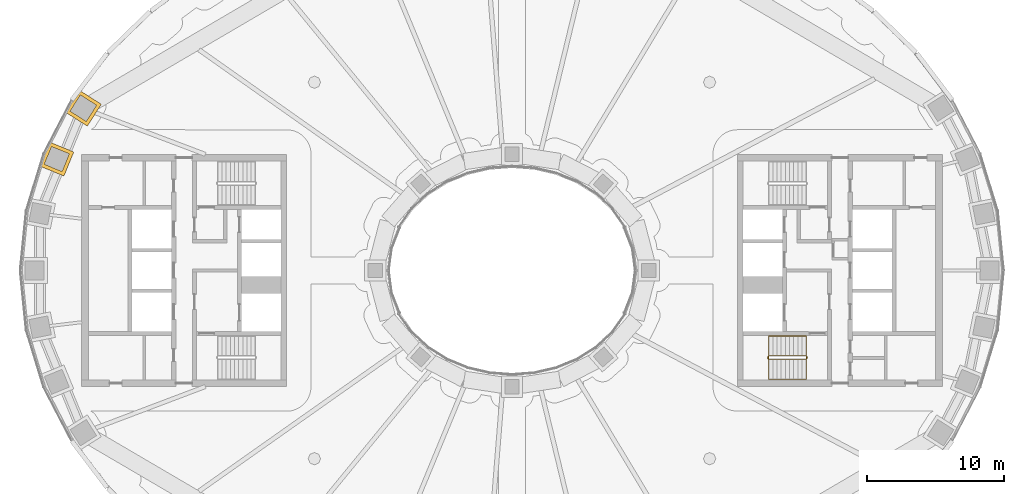
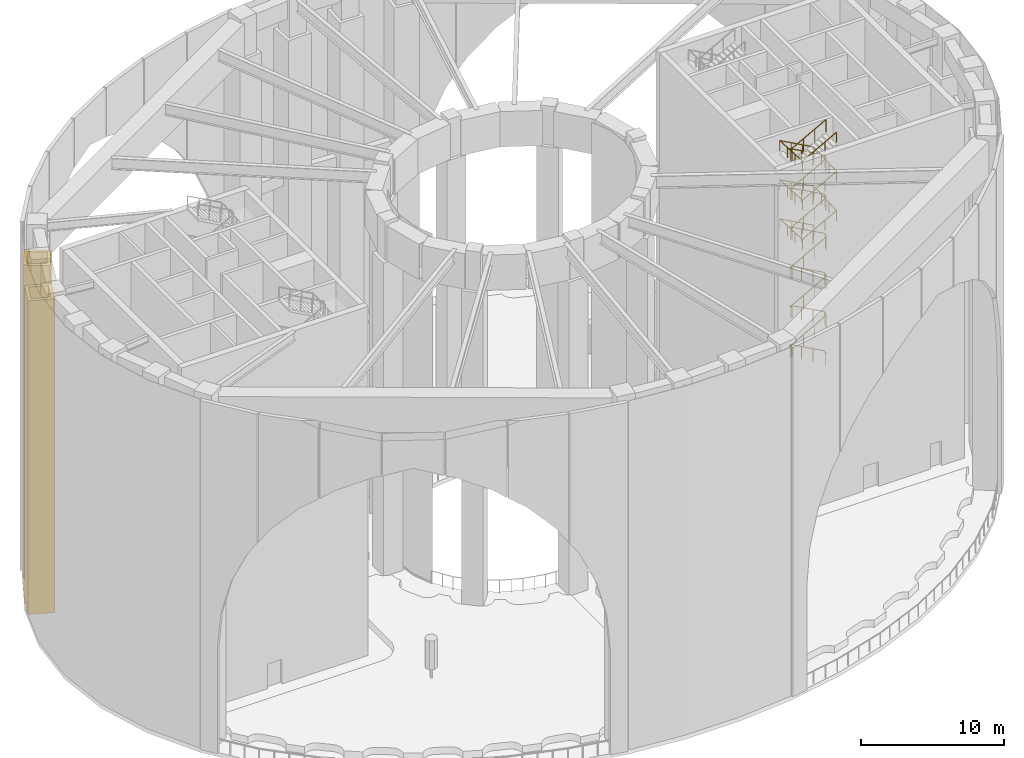
# One storey, part 19 of 26: 3 railings, 2 coverings.
"""IFC4 building model written with IfcOpenShell, lengths in metres."""

import ifcopenshell
import ifcopenshell.guid

model = None  # the IFC model being written
_history = None  # IfcOwnerHistory: only IFC2X3 demands one
_inside = {}  # id of a spatial element -> (the spatial element, [elements in it])
_under = {}  # id of a project, library or spatial element -> (it, [spatial elements below it])
_declared = {}  # id of a project -> (the project, [libraries it declares])
_typed = {}  # id of a type object -> (the type object, [elements of that type])
_made_of = {}  # id of a material, layer set ... -> (it, [elements and type objects made of it])


def new_model(schema):
    """Start an empty IFC model of exactly this schema.

    Asked for "IFC4X3", IfcOpenShell would pick the latest addendum, in which some entities
    have other attributes; the version numbers below select the first issue.
    IFC2X3 requires an IfcOwnerHistory on every rooted entity: one is made here for all.
    """
    global model, _history
    if schema == "IFC4X3":
        model = ifcopenshell.file(schema_version=(4, 3, 0, 0))
    else:
        model = ifcopenshell.file(schema=schema)
    _inside.clear()
    _under.clear()
    _declared.clear()
    _typed.clear()
    _made_of.clear()
    _history = None
    if model.schema == "IFC2X3":
        org = make("IfcOrganization", Name="unknown")
        user = make(
            "IfcPersonAndOrganization",
            ThePerson=make("IfcPerson", FamilyName="unknown"),
            TheOrganization=org,
        )
        app = make(
            "IfcApplication",
            ApplicationDeveloper=org,
            Version="unknown",
            ApplicationFullName="unknown",
            ApplicationIdentifier="unknown",
        )
        _history = make(
            "IfcOwnerHistory",
            OwningUser=user,
            OwningApplication=app,
            ChangeAction="ADDED",
            CreationDate=0,
        )
    return model


def make(cls, **values):
    """One entity of the class cls with the attributes given. An attribute that is None is left unset."""
    return model.create_entity(
        cls, **{name: value for name, value in values.items() if value is not None}
    )


def rooted(cls, **values):
    """An entity with a GlobalId (a new one), such as an element, a storey or a relation."""
    return make(cls, GlobalId=ifcopenshell.guid.new(), OwnerHistory=_history, **values)


def si_unit(unit_type, name, prefix=None):
    """IfcSIUnit, for example si_unit("LENGTHUNIT", "METRE", prefix="MILLI")."""
    return make("IfcSIUnit", UnitType=unit_type, Prefix=prefix, Name=name)


def assignment(units):
    """IfcUnitAssignment: the units of a project."""
    return None if units is None else make("IfcUnitAssignment", Units=units)


def point(xyz):
    """IfcCartesianPoint."""
    return None if xyz is None else make("IfcCartesianPoint", Coordinates=xyz)


def direction(xyz):
    """IfcDirection."""
    return None if xyz is None else make("IfcDirection", DirectionRatios=xyz)


def frame(location, z_axis=None, x_axis=None):
    """IfcAxis2Placement3D, a coordinate frame: its origin and axes. An axis left out is left unset."""
    return make(
        "IfcAxis2Placement3D",
        Location=point(location),
        Axis=direction(z_axis),
        RefDirection=direction(x_axis),
    )


def frame_2d(location, x_axis=None):
    """IfcAxis2Placement2D, a coordinate frame in the plane: its origin and x axis."""
    return make(
        "IfcAxis2Placement2D", Location=point(location), RefDirection=direction(x_axis)
    )


def origin():
    """The frame at (0, 0, 0) with its axes left unset."""
    return frame((0.0, 0.0, 0.0))


def origin_2d():
    """The frame at (0, 0) in the plane with its x axis left unset."""
    return frame_2d((0.0, 0.0))


def place(relative_to, where):
    """IfcLocalPlacement: puts the frame where relative to a parent placement (None: the world)."""
    return make(
        "IfcLocalPlacement", PlacementRelTo=relative_to, RelativePlacement=where
    )


def context(
    kind, dimensions, precision=None, world=None, true_north=None, identifier=None
):
    """IfcGeometricRepresentationContext, for example the 3D "Model" context."""
    return make(
        "IfcGeometricRepresentationContext",
        ContextIdentifier=identifier,
        ContextType=kind,
        CoordinateSpaceDimension=dimensions,
        Precision=precision,
        WorldCoordinateSystem=world,
        TrueNorth=true_north,
    )


def subcontext(parent, identifier, kind, view, scale=None):
    """IfcGeometricRepresentationSubContext, for example "Body" below "Model"."""
    return make(
        "IfcGeometricRepresentationSubContext",
        ContextIdentifier=identifier,
        ContextType=kind,
        ParentContext=parent,
        TargetScale=scale,
        TargetView=view,
    )


def project(units=None, contexts=None):
    """IfcProject with its units and contexts."""
    return rooted(
        "IfcProject",
        Name="project",
        RepresentationContexts=contexts,
        UnitsInContext=assignment(units),
    )


def spatial(cls, under=None, at=None, **own):
    """A site, building, storey or space (cls), placed at a placement, below another one or the project."""
    s = rooted(cls, ObjectPlacement=at, **own)
    if under is not None:
        _under.setdefault(under.id(), (under, []))[1].append(s)
    return s


def polyline(points):
    """IfcPolyline through the points."""
    return make("IfcPolyline", Points=[point(p) for p in points])


def profile(cls, at=None, kind="AREA", **sizes):
    """A parametric profile (cls). Its sizes go by their IFC names, for example OverallWidth=200.0."""
    return make(cls, ProfileType=kind, Position=at, **sizes)


def rectangle(**sizes):
    """IfcRectangleProfileDef."""
    return profile("IfcRectangleProfileDef", **sizes)


def outline(outer, holes=None, kind="AREA"):
    """IfcArbitraryClosedProfileDef: a profile drawn as a closed curve; with holes, ...WithVoids."""
    if holes is None:
        return make("IfcArbitraryClosedProfileDef", ProfileType=kind, OuterCurve=outer)
    return make(
        "IfcArbitraryProfileDefWithVoids",
        ProfileType=kind,
        OuterCurve=outer,
        InnerCurves=holes,
    )


def extrude(swept, where, along, depth):
    """IfcExtrudedAreaSolid: the profile swept, set in the frame where, extruded along a direction by depth."""
    return make(
        "IfcExtrudedAreaSolid",
        SweptArea=swept,
        Position=where,
        ExtrudedDirection=direction(along),
        Depth=depth,
    )


def shape(context_of_items, identifier, shape_type, items):
    """IfcShapeRepresentation: the items that make up one representation, for example the "Body"."""
    return make(
        "IfcShapeRepresentation",
        ContextOfItems=context_of_items,
        RepresentationIdentifier=identifier,
        RepresentationType=shape_type,
        Items=items,
    )


def material(Name=None, Category=None):
    """IfcMaterial."""
    return make("IfcMaterial", Name=Name, Category=Category)


def layer(
    of_material, thickness, ventilated=None, Name=None, Category=None, Priority=None
):
    """IfcMaterialLayer: one layer of a wall or slab, of a material (None: an air gap)."""
    return make(
        "IfcMaterialLayer",
        Material=of_material,
        LayerThickness=thickness,
        IsVentilated=ventilated,
        Name=Name,
        Category=Category,
        Priority=Priority,
    )


def layer_set(layers, Name=None):
    """IfcMaterialLayerSet."""
    return make("IfcMaterialLayerSet", MaterialLayers=layers, LayerSetName=Name)


def made_of(thing, what):
    """Note that an element or type object is made of a material, layer set ...; save() writes the relation."""
    if what is not None:
        _made_of.setdefault(what.id(), (what, []))[1].append(thing)
    return thing


def type_object(cls, material=None, **own):
    """A type object (cls), such as IfcWallType, which elements share."""
    return made_of(rooted(cls, **own), material)


def element(
    cls,
    number,
    at=None,
    inside=None,
    cuts=None,
    type_object=None,
    material=None,
    context=None,
    identifier="Body",
    shape_type=None,
    held_by="IfcProductDefinitionShape",
    body=None,
    shapes=None,
    **own,
):
    """One element of the class cls, such as IfcWall. Its Tag is "e" and its number.

    at: its placement. inside: the storey or other place that contains it. cuts: it is an
    opening in that element (IfcRelVoidsElement). A single representation is given by context,
    identifier, shape_type and body (its items); several are given by shapes. held_by: the class
    of the entity that holds the representations. save() writes the other relations.
    """
    e = rooted(cls, Tag="e%d" % number, ObjectPlacement=at, **own)
    if body is not None:
        shapes = [shape(context, identifier, shape_type, body)]
    if shapes is not None:
        e.Representation = make(held_by, Representations=shapes)
    if inside is not None:
        _inside.setdefault(inside.id(), (inside, []))[1].append(e)
    if cuts is not None:
        rooted(
            "IfcRelVoidsElement", RelatingBuildingElement=cuts, RelatedOpeningElement=e
        )
    if type_object is not None:
        _typed.setdefault(type_object.id(), (type_object, []))[1].append(e)
    return made_of(e, material)


def aggregate(whole, parts):
    """IfcRelAggregates: a whole, such as a stair, and the parts it consists of."""
    return rooted("IfcRelAggregates", RelatingObject=whole, RelatedObjects=parts)


def save(model, path):
    """Write the relations noted so far, then the file.

    IfcRelAggregates (storeys below a building ...), IfcRelContainedInSpatialStructure (elements
    in a storey), IfcRelDefinesByType, IfcRelAssociatesMaterial and IfcRelDeclares: one each for
    every whole, place, type object, material and project.
    """
    for whole, parts in _under.values():
        aggregate(whole, parts)
    for where, things in _inside.values():
        rooted(
            "IfcRelContainedInSpatialStructure",
            RelatedElements=things,
            RelatingStructure=where,
        )
    for kind, things in _typed.values():
        rooted("IfcRelDefinesByType", RelatedObjects=things, RelatingType=kind)
    for what, things in _made_of.values():
        rooted("IfcRelAssociatesMaterial", RelatedObjects=things, RelatingMaterial=what)
    for by, libraries in _declared.values():
        rooted("IfcRelDeclares", RelatingContext=by, RelatedDefinitions=libraries)
    model.write(path)


model = new_model("IFC4")

# Units and contexts
model_context = context("Model", 3, precision=1e-05, world=origin(), true_north=direction((0.0, 1.0)))
body_context = subcontext(model_context, "Body", "Model", "MODEL_VIEW")
ifc_project = project(units=[si_unit("LENGTHUNIT", "METRE"), si_unit("AREAUNIT", "SQUARE_METRE"), si_unit("VOLUMEUNIT", "CUBIC_METRE"), si_unit("PLANEANGLEUNIT", "RADIAN"), si_unit("MASSUNIT", "GRAM", prefix="KILO")], contexts=[model_context])

# Site, building, storey
site_placement = place(None, origin())
site = spatial("IfcSite", under=ifc_project, at=site_placement, CompositionType="ELEMENT")
building_placement = place(site_placement, origin())
building = spatial("IfcBuilding", under=site, at=building_placement, Name="Noorbagh Ring Tower", CompositionType="ELEMENT")
storey_placement = place(building_placement, frame((0.0, 0.0, 203.5)))
storey = spatial("IfcBuildingStorey", under=building, at=storey_placement, Name="L47", CompositionType="ELEMENT", Elevation=203.5)

# Railings
ifc_material_1 = material(Name="Stainless steel", Category="steel")
railing_type_1 = type_object("IfcRailingType", Name="CORE-STAIR-GUARD", PredefinedType="GUARDRAIL", material=ifc_material_1)
railing_1_placement = place(storey_placement, frame((21.580078125, -6.300048828125, 10.0)))
element("IfcRailing", 1, at=railing_1_placement, inside=storey, type_object=railing_type_1, Name="L47b ST4 stair guard", PredefinedType="GUARDRAIL", context=body_context, shape_type="SweptSolid", body=[
    extrude(rectangle(XDim=0.048095703125, YDim=0.048095703125, at=origin_2d()), frame((0.0, 0.0, 1.076171875), z_axis=(0.0, -1.0, 0.0), x_axis=(1.0, 0.0, 0.0)), (0.0, 0.0, 1.0), 0.14990234375),
    extrude(rectangle(XDim=0.048095703125, YDim=0.048095703125, at=origin_2d()), frame((0.0, -0.14990234375, 1.076171875), z_axis=(-0.188775798145, 0.754182335027, 0.628945707965), x_axis=(-0.970072785993, -0.242814311512, 0.0)), (0.0, 0.0, 1.0), 0.26513671875),
    extrude(rectangle(XDim=0.048095703125, YDim=0.048095703125, at=origin_2d()), frame((-0.050048828125, 0.050048828125, 1.24267578125), z_axis=(-0.877537414544, 0.0, 0.479508171021), x_axis=(0.0, -1.0, 0.0)), (0.0, 0.0, 1.0), 3.128173828125),
    extrude(rectangle(XDim=0.048095703125, YDim=0.048095703125, at=origin_2d()), frame((-2.795166015625, 0.050048828125, 2.74267578125), z_axis=(-0.705375805398, -0.708833529934, 0.0), x_axis=(0.708833529934, -0.705375805398, 0.0)), (0.0, 0.0, 1.0), 0.070556640625),
    extrude(rectangle(XDim=0.048095703125, YDim=0.048095703125, at=origin_2d()), frame((-2.844970703125, 0.0, 2.74267578125), z_axis=(0.0, -1.0, 0.0), x_axis=(1.0, 0.0, 0.0)), (0.0, 0.0, 1.0), 0.14990234375),
    extrude(rectangle(XDim=0.048095703125, YDim=0.048095703125, at=origin_2d()), frame((-2.844970703125, -0.14990234375, 2.74267578125), z_axis=(0.275382897532, -0.276732813696, 0.920642824102), x_axis=(0.708833529934, 0.705375805398, 0.0)), (0.0, 0.0, 1.0), 0.180908203125),
    extrude(rectangle(XDim=0.048095703125, YDim=0.048095703125, at=origin_2d()), frame((-2.795166015625, -0.199951171875, 2.9091796875), z_axis=(0.877537414544, 0.0, 0.479508171021), x_axis=(0.0, 1.0, 0.0)), (0.0, 0.0, 1.0), 3.128173828125),
    extrude(rectangle(XDim=0.048095703125, YDim=0.048095703125, at=origin_2d()), frame((-0.050048828125, -0.199951171875, 4.4091796875), z_axis=(0.242814311512, 0.970072785993, 0.0), x_axis=(-0.970072785993, 0.242814311512, 0.0)), (0.0, 0.0, 1.0), 0.2060546875),
    extrude(rectangle(XDim=0.048095703125, YDim=0.048095703125, at=origin_2d()), frame((0.0, 0.0, 4.4091796875), z_axis=(0.0, -1.0, 0.0), x_axis=(1.0, 0.0, 0.0)), (0.0, 0.0, 1.0), 0.14990234375),
    extrude(rectangle(XDim=0.048095703125, YDim=0.048095703125, at=origin_2d()), frame((0.0, -0.14990234375, 4.4091796875), z_axis=(-0.188775798145, 0.754182335027, 0.628945707965), x_axis=(-0.970072785993, -0.242814311512, 0.0)), (0.0, 0.0, 1.0), 0.26513671875),
    extrude(rectangle(XDim=0.048095703125, YDim=0.048095703125, at=origin_2d()), frame((-0.050048828125, 0.050048828125, 4.576171875), z_axis=(-0.877537414544, 0.0, 0.479508171021), x_axis=(0.0, -1.0, 0.0)), (0.0, 0.0, 1.0), 3.128173828125),
    extrude(rectangle(XDim=0.048095703125, YDim=0.048095703125, at=origin_2d()), frame((-2.795166015625, 0.050048828125, 6.076171875), z_axis=(-0.705375805398, -0.708833529934, 0.0), x_axis=(0.708833529934, -0.705375805398, 0.0)), (0.0, 0.0, 1.0), 0.070556640625),
    extrude(rectangle(XDim=0.048095703125, YDim=0.048095703125, at=origin_2d()), frame((-2.844970703125, 0.0, 6.076171875), z_axis=(0.0, -1.0, 0.0), x_axis=(1.0, 0.0, 0.0)), (0.0, 0.0, 1.0), 0.14990234375),
    extrude(rectangle(XDim=0.048095703125, YDim=0.048095703125, at=origin_2d()), frame((-2.844970703125, -0.14990234375, 6.076171875), z_axis=(0.275041040955, -0.276389281352, 0.920848191041), x_axis=(0.708833529934, 0.705375805398, 0.0)), (0.0, 0.0, 1.0), 0.18115234375),
    extrude(rectangle(XDim=0.048095703125, YDim=0.048095703125, at=origin_2d()), frame((-2.795166015625, -0.199951171875, 6.24267578125), z_axis=(0.877537414544, 0.0, 0.479508171021), x_axis=(0.0, 1.0, 0.0)), (0.0, 0.0, 1.0), 3.128173828125),
    extrude(rectangle(XDim=0.048095703125, YDim=0.048095703125, at=origin_2d()), frame((-0.050048828125, -0.199951171875, 7.74267578125), z_axis=(0.242814311512, 0.970072785993, 0.0), x_axis=(-0.970072785993, 0.242814311512, 0.0)), (0.0, 0.0, 1.0), 0.2060546875),
    extrude(rectangle(XDim=0.048095703125, YDim=0.048095703125, at=origin_2d()), frame((0.0, 0.0, 7.74267578125), z_axis=(0.0, -1.0, 0.0), x_axis=(1.0, 0.0, 0.0)), (0.0, 0.0, 1.0), 0.14990234375),
    extrude(rectangle(XDim=0.048095703125, YDim=0.048095703125, at=origin_2d()), frame((0.0, -0.14990234375, 7.74267578125), z_axis=(-0.188885146209, 0.754619193878, 0.628388632753), x_axis=(-0.970072785993, -0.242814311512, 0.0)), (0.0, 0.0, 1.0), 0.264892578125),
    extrude(rectangle(XDim=0.048095703125, YDim=0.048095703125, at=origin_2d()), frame((-0.050048828125, 0.050048828125, 7.9091796875), z_axis=(-0.877537414544, 0.0, 0.479508171021), x_axis=(0.0, -1.0, 0.0)), (0.0, 0.0, 1.0), 3.128173828125),
    extrude(rectangle(XDim=0.048095703125, YDim=0.048095703125, at=origin_2d()), frame((-2.795166015625, 0.050048828125, 9.4091796875), z_axis=(-0.705375805398, -0.708833529934, 0.0), x_axis=(0.708833529934, -0.705375805398, 0.0)), (0.0, 0.0, 1.0), 0.070556640625),
    extrude(rectangle(XDim=0.048095703125, YDim=0.048095703125, at=origin_2d()), frame((-2.844970703125, 0.0, 9.4091796875), z_axis=(0.0, -1.0, 0.0), x_axis=(1.0, 0.0, 0.0)), (0.0, 0.0, 1.0), 0.14990234375),
    extrude(rectangle(XDim=0.048095703125, YDim=0.048095703125, at=origin_2d()), frame((-2.844970703125, -0.14990234375, 9.4091796875), z_axis=(0.275041040955, -0.276389281352, 0.920848191041), x_axis=(0.708833529934, 0.705375805398, 0.0)), (0.0, 0.0, 1.0), 0.18115234375),
    extrude(rectangle(XDim=0.048095703125, YDim=0.048095703125, at=origin_2d()), frame((-2.795166015625, -0.199951171875, 9.576171875), z_axis=(0.877537414544, 0.0, 0.479508171021), x_axis=(0.0, 1.0, 0.0)), (0.0, 0.0, 1.0), 3.128173828125),
    extrude(rectangle(XDim=0.0419921875, YDim=0.0419921875, at=origin_2d()), origin(), (0.0, 0.0, 1.0), 1.052001953125),
    extrude(rectangle(XDim=0.0419921875, YDim=0.0419921875, at=origin_2d()), frame((-0.965087890625, 0.050048828125, 0.666748046875)), (0.0, 0.0, 1.0), 1.052001953125),
    extrude(rectangle(XDim=0.0419921875, YDim=0.0419921875, at=origin_2d()), frame((-1.880126953125, 0.050048828125, 1.166748046875)), (0.0, 0.0, 1.0), 1.052001953125),
    extrude(rectangle(XDim=0.0419921875, YDim=0.0419921875, at=origin_2d()), frame((-2.795166015625, 0.050048828125, 1.666748046875)), (0.0, 0.0, 1.0), 1.052001953125),
    extrude(rectangle(XDim=0.0419921875, YDim=0.0419921875, at=origin_2d()), frame((-2.795166015625, -0.199951171875, 1.833251953125)), (0.0, 0.0, 1.0), 1.052001953125),
    extrude(rectangle(XDim=0.0419921875, YDim=0.0419921875, at=origin_2d()), frame((-1.880126953125, -0.199951171875, 2.333251953125)), (0.0, 0.0, 1.0), 1.052001953125),
    extrude(rectangle(XDim=0.0419921875, YDim=0.0419921875, at=origin_2d()), frame((-0.965087890625, -0.199951171875, 2.833251953125)), (0.0, 0.0, 1.0), 1.052001953125),
    extrude(rectangle(XDim=0.0419921875, YDim=0.0419921875, at=origin_2d()), frame((-0.050048828125, -0.199951171875, 3.333251953125)), (0.0, 0.0, 1.0), 1.052001953125),
    extrude(rectangle(XDim=0.0419921875, YDim=0.0419921875, at=origin_2d()), frame((-0.050048828125, 0.050048828125, 3.5)), (0.0, 0.0, 1.0), 1.052001953125),
    extrude(rectangle(XDim=0.0419921875, YDim=0.0419921875, at=origin_2d()), frame((-0.965087890625, 0.050048828125, 4.0)), (0.0, 0.0, 1.0), 1.052001953125),
    extrude(rectangle(XDim=0.0419921875, YDim=0.0419921875, at=origin_2d()), frame((-1.880126953125, 0.050048828125, 4.5)), (0.0, 0.0, 1.0), 1.052001953125),
    extrude(rectangle(XDim=0.0419921875, YDim=0.0419921875, at=origin_2d()), frame((-2.795166015625, 0.050048828125, 5.0)), (0.0, 0.0, 1.0), 1.052001953125),
    extrude(rectangle(XDim=0.0419921875, YDim=0.0419921875, at=origin_2d()), frame((-2.795166015625, -0.199951171875, 5.166748046875)), (0.0, 0.0, 1.0), 1.052001953125),
    extrude(rectangle(XDim=0.0419921875, YDim=0.0419921875, at=origin_2d()), frame((-1.880126953125, -0.199951171875, 5.666748046875)), (0.0, 0.0, 1.0), 1.052001953125),
    extrude(rectangle(XDim=0.0419921875, YDim=0.0419921875, at=origin_2d()), frame((-0.965087890625, -0.199951171875, 6.166748046875)), (0.0, 0.0, 1.0), 1.052001953125),
    extrude(rectangle(XDim=0.0419921875, YDim=0.0419921875, at=origin_2d()), frame((-0.050048828125, -0.199951171875, 6.666748046875)), (0.0, 0.0, 1.0), 1.052001953125),
    extrude(rectangle(XDim=0.0419921875, YDim=0.0419921875, at=origin_2d()), frame((-0.050048828125, 0.050048828125, 6.833251953125)), (0.0, 0.0, 1.0), 1.052001953125),
    extrude(rectangle(XDim=0.0419921875, YDim=0.0419921875, at=origin_2d()), frame((-0.965087890625, 0.050048828125, 7.333251953125)), (0.0, 0.0, 1.0), 1.052001953125),
    extrude(rectangle(XDim=0.0419921875, YDim=0.0419921875, at=origin_2d()), frame((-1.880126953125, 0.050048828125, 7.833251953125)), (0.0, 0.0, 1.0), 1.052001953125),
    extrude(rectangle(XDim=0.0419921875, YDim=0.0419921875, at=origin_2d()), frame((-2.795166015625, 0.050048828125, 8.333251953125)), (0.0, 0.0, 1.0), 1.052001953125),
    extrude(rectangle(XDim=0.0419921875, YDim=0.0419921875, at=origin_2d()), frame((-2.795166015625, -0.199951171875, 8.5)), (0.0, 0.0, 1.0), 1.052001953125),
    extrude(rectangle(XDim=0.0419921875, YDim=0.0419921875, at=origin_2d()), frame((-1.880126953125, -0.199951171875, 9.0)), (0.0, 0.0, 1.0), 1.052001953125),
    extrude(rectangle(XDim=0.0419921875, YDim=0.0419921875, at=origin_2d()), frame((-0.965087890625, -0.199951171875, 9.5)), (0.0, 0.0, 1.0), 1.052001953125),
    extrude(rectangle(XDim=0.0419921875, YDim=0.0419921875, at=origin_2d()), frame((-0.050048828125, -0.199951171875, 10.0)), (0.0, 0.0, 1.0), 1.052001953125),
])
railing_2_placement = place(storey_placement, frame((21.580078125, -6.300048828125, 20.0)))
element("IfcRailing", 2, at=railing_2_placement, inside=storey, type_object=railing_type_1, Name="L47c ST4 stair guard", PredefinedType="GUARDRAIL", context=body_context, shape_type="SweptSolid", body=[
    extrude(rectangle(XDim=0.048095703125, YDim=0.048095703125, at=origin_2d()), frame((0.0, 0.0, 1.076171875), z_axis=(0.0, -1.0, 0.0), x_axis=(1.0, 0.0, 0.0)), (0.0, 0.0, 1.0), 0.14990234375),
    extrude(rectangle(XDim=0.048095703125, YDim=0.048095703125, at=origin_2d()), frame((0.0, -0.14990234375, 1.076171875), z_axis=(-0.188775798145, 0.754182335027, 0.628945707965), x_axis=(-0.970072785993, -0.242814311512, 0.0)), (0.0, 0.0, 1.0), 0.26513671875),
    extrude(rectangle(XDim=0.048095703125, YDim=0.048095703125, at=origin_2d()), frame((-0.050048828125, 0.050048828125, 1.24267578125), z_axis=(-0.877537414544, 0.0, 0.479508171021), x_axis=(0.0, -1.0, 0.0)), (0.0, 0.0, 1.0), 3.128173828125),
    extrude(rectangle(XDim=0.048095703125, YDim=0.048095703125, at=origin_2d()), frame((-2.795166015625, 0.050048828125, 2.74267578125), z_axis=(-0.705375805398, -0.708833529934, 0.0), x_axis=(0.708833529934, -0.705375805398, 0.0)), (0.0, 0.0, 1.0), 0.070556640625),
    extrude(rectangle(XDim=0.048095703125, YDim=0.048095703125, at=origin_2d()), frame((-2.844970703125, 0.0, 2.74267578125), z_axis=(0.0, -1.0, 0.0), x_axis=(1.0, 0.0, 0.0)), (0.0, 0.0, 1.0), 0.14990234375),
    extrude(rectangle(XDim=0.048095703125, YDim=0.048095703125, at=origin_2d()), frame((-2.844970703125, -0.14990234375, 2.74267578125), z_axis=(0.275382897532, -0.276732813696, 0.920642824102), x_axis=(0.708833529934, 0.705375805398, 0.0)), (0.0, 0.0, 1.0), 0.180908203125),
    extrude(rectangle(XDim=0.048095703125, YDim=0.048095703125, at=origin_2d()), frame((-2.795166015625, -0.199951171875, 2.9091796875), z_axis=(0.877537414544, 0.0, 0.479508171021), x_axis=(0.0, 1.0, 0.0)), (0.0, 0.0, 1.0), 3.128173828125),
    extrude(rectangle(XDim=0.048095703125, YDim=0.048095703125, at=origin_2d()), frame((-0.050048828125, -0.199951171875, 4.4091796875), z_axis=(0.242814311512, 0.970072785993, 0.0), x_axis=(-0.970072785993, 0.242814311512, 0.0)), (0.0, 0.0, 1.0), 0.2060546875),
    extrude(rectangle(XDim=0.048095703125, YDim=0.048095703125, at=origin_2d()), frame((0.0, 0.0, 4.4091796875), z_axis=(0.0, -1.0, 0.0), x_axis=(1.0, 0.0, 0.0)), (0.0, 0.0, 1.0), 0.14990234375),
    extrude(rectangle(XDim=0.048095703125, YDim=0.048095703125, at=origin_2d()), frame((0.0, -0.14990234375, 4.4091796875), z_axis=(-0.188775798145, 0.754182335027, 0.628945707965), x_axis=(-0.970072785993, -0.242814311512, 0.0)), (0.0, 0.0, 1.0), 0.26513671875),
    extrude(rectangle(XDim=0.048095703125, YDim=0.048095703125, at=origin_2d()), frame((-0.050048828125, 0.050048828125, 4.576171875), z_axis=(-0.877537414544, 0.0, 0.479508171021), x_axis=(0.0, -1.0, 0.0)), (0.0, 0.0, 1.0), 3.128173828125),
    extrude(rectangle(XDim=0.048095703125, YDim=0.048095703125, at=origin_2d()), frame((-2.795166015625, 0.050048828125, 6.076171875), z_axis=(-0.705375805398, -0.708833529934, 0.0), x_axis=(0.708833529934, -0.705375805398, 0.0)), (0.0, 0.0, 1.0), 0.070556640625),
    extrude(rectangle(XDim=0.048095703125, YDim=0.048095703125, at=origin_2d()), frame((-2.844970703125, 0.0, 6.076171875), z_axis=(0.0, -1.0, 0.0), x_axis=(1.0, 0.0, 0.0)), (0.0, 0.0, 1.0), 0.14990234375),
    extrude(rectangle(XDim=0.048095703125, YDim=0.048095703125, at=origin_2d()), frame((-2.844970703125, -0.14990234375, 6.076171875), z_axis=(0.275041040955, -0.276389281352, 0.920848191041), x_axis=(0.708833529934, 0.705375805398, 0.0)), (0.0, 0.0, 1.0), 0.18115234375),
    extrude(rectangle(XDim=0.048095703125, YDim=0.048095703125, at=origin_2d()), frame((-2.795166015625, -0.199951171875, 6.24267578125), z_axis=(0.877537414544, 0.0, 0.479508171021), x_axis=(0.0, 1.0, 0.0)), (0.0, 0.0, 1.0), 3.128173828125),
    extrude(rectangle(XDim=0.048095703125, YDim=0.048095703125, at=origin_2d()), frame((-0.050048828125, -0.199951171875, 7.74267578125), z_axis=(0.242814311512, 0.970072785993, 0.0), x_axis=(-0.970072785993, 0.242814311512, 0.0)), (0.0, 0.0, 1.0), 0.2060546875),
    extrude(rectangle(XDim=0.048095703125, YDim=0.048095703125, at=origin_2d()), frame((0.0, 0.0, 7.74267578125), z_axis=(0.0, -1.0, 0.0), x_axis=(1.0, 0.0, 0.0)), (0.0, 0.0, 1.0), 0.14990234375),
    extrude(rectangle(XDim=0.048095703125, YDim=0.048095703125, at=origin_2d()), frame((0.0, -0.14990234375, 7.74267578125), z_axis=(-0.188885146209, 0.754619193878, 0.628388632753), x_axis=(-0.970072785993, -0.242814311512, 0.0)), (0.0, 0.0, 1.0), 0.264892578125),
    extrude(rectangle(XDim=0.048095703125, YDim=0.048095703125, at=origin_2d()), frame((-0.050048828125, 0.050048828125, 7.9091796875), z_axis=(-0.877537414544, 0.0, 0.479508171021), x_axis=(0.0, -1.0, 0.0)), (0.0, 0.0, 1.0), 3.128173828125),
    extrude(rectangle(XDim=0.048095703125, YDim=0.048095703125, at=origin_2d()), frame((-2.795166015625, 0.050048828125, 9.4091796875), z_axis=(-0.705375805398, -0.708833529934, 0.0), x_axis=(0.708833529934, -0.705375805398, 0.0)), (0.0, 0.0, 1.0), 0.070556640625),
    extrude(rectangle(XDim=0.048095703125, YDim=0.048095703125, at=origin_2d()), frame((-2.844970703125, 0.0, 9.4091796875), z_axis=(0.0, -1.0, 0.0), x_axis=(1.0, 0.0, 0.0)), (0.0, 0.0, 1.0), 0.14990234375),
    extrude(rectangle(XDim=0.048095703125, YDim=0.048095703125, at=origin_2d()), frame((-2.844970703125, -0.14990234375, 9.4091796875), z_axis=(0.275041040955, -0.276389281352, 0.920848191041), x_axis=(0.708833529934, 0.705375805398, 0.0)), (0.0, 0.0, 1.0), 0.18115234375),
    extrude(rectangle(XDim=0.048095703125, YDim=0.048095703125, at=origin_2d()), frame((-2.795166015625, -0.199951171875, 9.576171875), z_axis=(0.877537414544, 0.0, 0.479508171021), x_axis=(0.0, 1.0, 0.0)), (0.0, 0.0, 1.0), 3.128173828125),
    extrude(rectangle(XDim=0.0419921875, YDim=0.0419921875, at=origin_2d()), origin(), (0.0, 0.0, 1.0), 1.052001953125),
    extrude(rectangle(XDim=0.0419921875, YDim=0.0419921875, at=origin_2d()), frame((-0.965087890625, 0.050048828125, 0.666748046875)), (0.0, 0.0, 1.0), 1.052001953125),
    extrude(rectangle(XDim=0.0419921875, YDim=0.0419921875, at=origin_2d()), frame((-1.880126953125, 0.050048828125, 1.166748046875)), (0.0, 0.0, 1.0), 1.052001953125),
    extrude(rectangle(XDim=0.0419921875, YDim=0.0419921875, at=origin_2d()), frame((-2.795166015625, 0.050048828125, 1.666748046875)), (0.0, 0.0, 1.0), 1.052001953125),
    extrude(rectangle(XDim=0.0419921875, YDim=0.0419921875, at=origin_2d()), frame((-2.795166015625, -0.199951171875, 1.833251953125)), (0.0, 0.0, 1.0), 1.052001953125),
    extrude(rectangle(XDim=0.0419921875, YDim=0.0419921875, at=origin_2d()), frame((-1.880126953125, -0.199951171875, 2.333251953125)), (0.0, 0.0, 1.0), 1.052001953125),
    extrude(rectangle(XDim=0.0419921875, YDim=0.0419921875, at=origin_2d()), frame((-0.965087890625, -0.199951171875, 2.833251953125)), (0.0, 0.0, 1.0), 1.052001953125),
    extrude(rectangle(XDim=0.0419921875, YDim=0.0419921875, at=origin_2d()), frame((-0.050048828125, -0.199951171875, 3.333251953125)), (0.0, 0.0, 1.0), 1.052001953125),
    extrude(rectangle(XDim=0.0419921875, YDim=0.0419921875, at=origin_2d()), frame((-0.050048828125, 0.050048828125, 3.5)), (0.0, 0.0, 1.0), 1.052001953125),
    extrude(rectangle(XDim=0.0419921875, YDim=0.0419921875, at=origin_2d()), frame((-0.965087890625, 0.050048828125, 4.0)), (0.0, 0.0, 1.0), 1.052001953125),
    extrude(rectangle(XDim=0.0419921875, YDim=0.0419921875, at=origin_2d()), frame((-1.880126953125, 0.050048828125, 4.5)), (0.0, 0.0, 1.0), 1.052001953125),
    extrude(rectangle(XDim=0.0419921875, YDim=0.0419921875, at=origin_2d()), frame((-2.795166015625, 0.050048828125, 5.0)), (0.0, 0.0, 1.0), 1.052001953125),
    extrude(rectangle(XDim=0.0419921875, YDim=0.0419921875, at=origin_2d()), frame((-2.795166015625, -0.199951171875, 5.166748046875)), (0.0, 0.0, 1.0), 1.052001953125),
    extrude(rectangle(XDim=0.0419921875, YDim=0.0419921875, at=origin_2d()), frame((-1.880126953125, -0.199951171875, 5.666748046875)), (0.0, 0.0, 1.0), 1.052001953125),
    extrude(rectangle(XDim=0.0419921875, YDim=0.0419921875, at=origin_2d()), frame((-0.965087890625, -0.199951171875, 6.166748046875)), (0.0, 0.0, 1.0), 1.052001953125),
    extrude(rectangle(XDim=0.0419921875, YDim=0.0419921875, at=origin_2d()), frame((-0.050048828125, -0.199951171875, 6.666748046875)), (0.0, 0.0, 1.0), 1.052001953125),
    extrude(rectangle(XDim=0.0419921875, YDim=0.0419921875, at=origin_2d()), frame((-0.050048828125, 0.050048828125, 6.833251953125)), (0.0, 0.0, 1.0), 1.052001953125),
    extrude(rectangle(XDim=0.0419921875, YDim=0.0419921875, at=origin_2d()), frame((-0.965087890625, 0.050048828125, 7.333251953125)), (0.0, 0.0, 1.0), 1.052001953125),
    extrude(rectangle(XDim=0.0419921875, YDim=0.0419921875, at=origin_2d()), frame((-1.880126953125, 0.050048828125, 7.833251953125)), (0.0, 0.0, 1.0), 1.052001953125),
    extrude(rectangle(XDim=0.0419921875, YDim=0.0419921875, at=origin_2d()), frame((-2.795166015625, 0.050048828125, 8.333251953125)), (0.0, 0.0, 1.0), 1.052001953125),
    extrude(rectangle(XDim=0.0419921875, YDim=0.0419921875, at=origin_2d()), frame((-2.795166015625, -0.199951171875, 8.5)), (0.0, 0.0, 1.0), 1.052001953125),
    extrude(rectangle(XDim=0.0419921875, YDim=0.0419921875, at=origin_2d()), frame((-1.880126953125, -0.199951171875, 9.0)), (0.0, 0.0, 1.0), 1.052001953125),
    extrude(rectangle(XDim=0.0419921875, YDim=0.0419921875, at=origin_2d()), frame((-0.965087890625, -0.199951171875, 9.5)), (0.0, 0.0, 1.0), 1.052001953125),
    extrude(rectangle(XDim=0.0419921875, YDim=0.0419921875, at=origin_2d()), frame((-0.050048828125, -0.199951171875, 10.0)), (0.0, 0.0, 1.0), 1.052001953125),
])
ifc_material_2 = material(Name="Stainless steel", Category="steel")
railing_type_2 = type_object("IfcRailingType", Name="CORE-STAIR-HANDRAIL", PredefinedType="HANDRAIL", material=ifc_material_2)
railing_3_placement = place(storey_placement, frame((21.530029296875, -4.800048828125, 20.166748046875)))
element("IfcRailing", 3, at=railing_3_placement, inside=storey, type_object=railing_type_2, Name="L47c ST4 stair handrail", PredefinedType="HANDRAIL", context=body_context, shape_type="SweptSolid", body=[
    extrude(rectangle(XDim=0.048095703125, YDim=0.048095703125, at=origin_2d()), frame((0.0, 0.0, 0.8759765625), z_axis=(-0.877537414544, 0.0, 0.479508171021), x_axis=(0.0, -1.0, 0.0)), (0.0, 0.0, 1.0), 3.128173828125),
    extrude(rectangle(XDim=0.048095703125, YDim=0.048095703125, at=origin_2d()), frame((-2.7451171875, 0.0, 2.3759765625), z_axis=(0.0, -0.998605830047, 0.052786325848), x_axis=(1.0, 0.0, 0.0)), (0.0, 0.0, 1.0), 3.154296875),
    extrude(rectangle(XDim=0.048095703125, YDim=0.048095703125, at=origin_2d()), frame((-2.7451171875, -3.14990234375, 2.54248046875), z_axis=(0.877537414544, 0.0, 0.479508171021), x_axis=(0.0, 1.0, 0.0)), (0.0, 0.0, 1.0), 3.128173828125),
    extrude(rectangle(XDim=0.048095703125, YDim=0.048095703125, at=origin_2d()), frame((0.0, -3.14990234375, 4.04248046875), z_axis=(0.0, 0.998601747152, 0.052863509014), x_axis=(-1.0, 0.0, 0.0)), (0.0, 0.0, 1.0), 3.154296875),
    extrude(rectangle(XDim=0.048095703125, YDim=0.048095703125, at=origin_2d()), frame((0.0, 0.0, 4.208984375), z_axis=(-0.877537414544, 0.0, 0.479508171021), x_axis=(0.0, -1.0, 0.0)), (0.0, 0.0, 1.0), 3.128173828125),
    extrude(rectangle(XDim=0.048095703125, YDim=0.048095703125, at=origin_2d()), frame((-2.7451171875, 0.0, 5.708984375), z_axis=(0.0, -0.998601747152, 0.052863509014), x_axis=(1.0, 0.0, 0.0)), (0.0, 0.0, 1.0), 3.154296875),
    extrude(rectangle(XDim=0.048095703125, YDim=0.048095703125, at=origin_2d()), frame((-2.7451171875, -3.14990234375, 5.8759765625), z_axis=(0.877537414544, 0.0, 0.479508171021), x_axis=(0.0, 1.0, 0.0)), (0.0, 0.0, 1.0), 3.128173828125),
    extrude(rectangle(XDim=0.048095703125, YDim=0.048095703125, at=origin_2d()), frame((0.0, -3.14990234375, 7.3759765625), z_axis=(0.0, 0.998605830047, 0.052786325848), x_axis=(-1.0, 0.0, 0.0)), (0.0, 0.0, 1.0), 3.154296875),
    extrude(rectangle(XDim=0.048095703125, YDim=0.048095703125, at=origin_2d()), frame((0.0, 0.0, 7.54248046875), z_axis=(-0.877537414544, 0.0, 0.479508171021), x_axis=(0.0, -1.0, 0.0)), (0.0, 0.0, 1.0), 3.128173828125),
    extrude(rectangle(XDim=0.048095703125, YDim=0.048095703125, at=origin_2d()), frame((-2.7451171875, 0.0, 9.04248046875), z_axis=(0.0, -0.998601747152, 0.052863509014), x_axis=(1.0, 0.0, 0.0)), (0.0, 0.0, 1.0), 3.154296875),
    extrude(rectangle(XDim=0.048095703125, YDim=0.048095703125, at=origin_2d()), frame((-2.7451171875, -3.14990234375, 9.208984375), z_axis=(0.877537414544, 0.0, 0.479508171021), x_axis=(0.0, 1.0, 0.0)), (0.0, 0.0, 1.0), 3.128173828125),
    extrude(rectangle(XDim=0.0419921875, YDim=0.0419921875, at=origin_2d()), origin(), (0.0, 0.0, 1.0), 0.851806640625),
    extrude(rectangle(XDim=0.0419921875, YDim=0.0419921875, at=origin_2d()), frame((-0.9150390625, 0.0, 0.5)), (0.0, 0.0, 1.0), 0.851806640625),
    extrude(rectangle(XDim=0.0419921875, YDim=0.0419921875, at=origin_2d()), frame((-1.830078125, 0.0, 1.0)), (0.0, 0.0, 1.0), 0.851806640625),
    extrude(rectangle(XDim=0.0419921875, YDim=0.0419921875, at=origin_2d()), frame((-2.7451171875, 0.0, 1.5)), (0.0, 0.0, 1.0), 0.851806640625),
    extrude(rectangle(XDim=0.0419921875, YDim=0.0419921875, at=origin_2d()), frame((-2.7451171875, -1.050048828125, 1.555419921875)), (0.0, 0.0, 1.0), 0.851806640625),
    extrude(rectangle(XDim=0.0419921875, YDim=0.0419921875, at=origin_2d()), frame((-2.7451171875, -2.099853515625, 1.611083984375)), (0.0, 0.0, 1.0), 0.851806640625),
    extrude(rectangle(XDim=0.0419921875, YDim=0.0419921875, at=origin_2d()), frame((-2.7451171875, -3.14990234375, 1.66650390625)), (0.0, 0.0, 1.0), 0.851806640625),
    extrude(rectangle(XDim=0.0419921875, YDim=0.0419921875, at=origin_2d()), frame((-1.830078125, -3.14990234375, 2.16650390625)), (0.0, 0.0, 1.0), 0.851806640625),
    extrude(rectangle(XDim=0.0419921875, YDim=0.0419921875, at=origin_2d()), frame((-0.9150390625, -3.14990234375, 2.66650390625)), (0.0, 0.0, 1.0), 0.851806640625),
    extrude(rectangle(XDim=0.0419921875, YDim=0.0419921875, at=origin_2d()), frame((0.0, -3.14990234375, 3.16650390625)), (0.0, 0.0, 1.0), 0.851806640625),
    extrude(rectangle(XDim=0.0419921875, YDim=0.0419921875, at=origin_2d()), frame((0.0, -2.099853515625, 3.22216796875)), (0.0, 0.0, 1.0), 0.851806640625),
    extrude(rectangle(XDim=0.0419921875, YDim=0.0419921875, at=origin_2d()), frame((0.0, -1.050048828125, 3.277587890625)), (0.0, 0.0, 1.0), 0.851806640625),
    extrude(rectangle(XDim=0.0419921875, YDim=0.0419921875, at=origin_2d()), frame((0.0, 0.0, 3.333251953125)), (0.0, 0.0, 1.0), 0.851806640625),
    extrude(rectangle(XDim=0.0419921875, YDim=0.0419921875, at=origin_2d()), frame((-0.9150390625, 0.0, 3.833251953125)), (0.0, 0.0, 1.0), 0.851806640625),
    extrude(rectangle(XDim=0.0419921875, YDim=0.0419921875, at=origin_2d()), frame((-1.830078125, 0.0, 4.333251953125)), (0.0, 0.0, 1.0), 0.851806640625),
    extrude(rectangle(XDim=0.0419921875, YDim=0.0419921875, at=origin_2d()), frame((-2.7451171875, 0.0, 4.833251953125)), (0.0, 0.0, 1.0), 0.851806640625),
    extrude(rectangle(XDim=0.0419921875, YDim=0.0419921875, at=origin_2d()), frame((-2.7451171875, -1.050048828125, 4.888916015625)), (0.0, 0.0, 1.0), 0.851806640625),
    extrude(rectangle(XDim=0.0419921875, YDim=0.0419921875, at=origin_2d()), frame((-2.7451171875, -2.099853515625, 4.9443359375)), (0.0, 0.0, 1.0), 0.851806640625),
    extrude(rectangle(XDim=0.0419921875, YDim=0.0419921875, at=origin_2d()), frame((-2.7451171875, -3.14990234375, 5.0)), (0.0, 0.0, 1.0), 0.851806640625),
    extrude(rectangle(XDim=0.0419921875, YDim=0.0419921875, at=origin_2d()), frame((-1.830078125, -3.14990234375, 5.5)), (0.0, 0.0, 1.0), 0.851806640625),
    extrude(rectangle(XDim=0.0419921875, YDim=0.0419921875, at=origin_2d()), frame((-0.9150390625, -3.14990234375, 6.0)), (0.0, 0.0, 1.0), 0.851806640625),
    extrude(rectangle(XDim=0.0419921875, YDim=0.0419921875, at=origin_2d()), frame((0.0, -3.14990234375, 6.5)), (0.0, 0.0, 1.0), 0.851806640625),
    extrude(rectangle(XDim=0.0419921875, YDim=0.0419921875, at=origin_2d()), frame((0.0, -2.099853515625, 6.555419921875)), (0.0, 0.0, 1.0), 0.851806640625),
    extrude(rectangle(XDim=0.0419921875, YDim=0.0419921875, at=origin_2d()), frame((0.0, -1.050048828125, 6.611083984375)), (0.0, 0.0, 1.0), 0.851806640625),
    extrude(rectangle(XDim=0.0419921875, YDim=0.0419921875, at=origin_2d()), frame((0.0, 0.0, 6.66650390625)), (0.0, 0.0, 1.0), 0.851806640625),
    extrude(rectangle(XDim=0.0419921875, YDim=0.0419921875, at=origin_2d()), frame((-0.9150390625, 0.0, 7.16650390625)), (0.0, 0.0, 1.0), 0.851806640625),
    extrude(rectangle(XDim=0.0419921875, YDim=0.0419921875, at=origin_2d()), frame((-1.830078125, 0.0, 7.66650390625)), (0.0, 0.0, 1.0), 0.851806640625),
    extrude(rectangle(XDim=0.0419921875, YDim=0.0419921875, at=origin_2d()), frame((-2.7451171875, 0.0, 8.16650390625)), (0.0, 0.0, 1.0), 0.851806640625),
    extrude(rectangle(XDim=0.0419921875, YDim=0.0419921875, at=origin_2d()), frame((-2.7451171875, -1.050048828125, 8.22216796875)), (0.0, 0.0, 1.0), 0.851806640625),
    extrude(rectangle(XDim=0.0419921875, YDim=0.0419921875, at=origin_2d()), frame((-2.7451171875, -2.099853515625, 8.277587890625)), (0.0, 0.0, 1.0), 0.851806640625),
    extrude(rectangle(XDim=0.0419921875, YDim=0.0419921875, at=origin_2d()), frame((-2.7451171875, -3.14990234375, 8.333251953125)), (0.0, 0.0, 1.0), 0.851806640625),
    extrude(rectangle(XDim=0.0419921875, YDim=0.0419921875, at=origin_2d()), frame((-1.830078125, -3.14990234375, 8.833251953125)), (0.0, 0.0, 1.0), 0.851806640625),
    extrude(rectangle(XDim=0.0419921875, YDim=0.0419921875, at=origin_2d()), frame((-0.9150390625, -3.14990234375, 9.333251953125)), (0.0, 0.0, 1.0), 0.851806640625),
    extrude(rectangle(XDim=0.0419921875, YDim=0.0419921875, at=origin_2d()), frame((0.0, -3.14990234375, 9.833251953125)), (0.0, 0.0, 1.0), 0.851806640625),
])

# Coverings
ifc_material_3 = material(Name="Sandstone cladding", Category="masonry")
ifc_layer = layer(ifc_material_3, 0.25)
ifc_layer_set = layer_set([ifc_layer], Name="Sandstone cladding")
covering_type = type_object("IfcCoveringType", Name="STYLE-IWAN-PIER", PredefinedType="CLADDING", material=ifc_layer_set)
covering_1_placement = place(storey_placement, origin())
element("IfcCovering", 4, at=covering_1_placement, inside=storey, type_object=covering_type, Name="Pier casing R1-21", ObjectType="PIER", PredefinedType="CLADDING", context=body_context, shape_type="SweptSolid", body=[
    extrude(outline(polyline([(-31.6591796875, 13.181884765625), (-30.05419921875, 12.1650390625), (-31.07080078125, 10.56005859375), (-32.67578125, 11.576904296875), (-31.6591796875, 13.181884765625)]), holes=[polyline([(-31.581787109375, 12.8369140625), (-32.330810546875, 11.654296875), (-31.148193359375, 10.905029296875), (-30.399169921875, 12.087646484375), (-31.581787109375, 12.8369140625)])]), origin(), (0.0, 0.0, 1.0), 26.699951171875),
])
covering_2_placement = place(storey_placement, origin())
element("IfcCovering", 5, at=covering_2_placement, inside=storey, type_object=covering_type, Name="Pier casing R1-22", ObjectType="PIER", PredefinedType="CLADDING", context=body_context, shape_type="SweptSolid", body=[
    extrude(outline(polyline([(-33.82421875, 9.388427734375), (-32.06591796875, 8.66845703125), (-32.7861328125, 6.91015625), (-34.54443359375, 7.630126953125), (-33.82421875, 9.388427734375)]), holes=[polyline([(-33.687744140625, 9.0625), (-34.21826171875, 7.766845703125), (-32.922607421875, 7.236328125), (-32.39208984375, 8.53173828125), (-33.687744140625, 9.0625)])]), origin(), (0.0, 0.0, 1.0), 26.699951171875),
])

save(model, "model.ifc")
